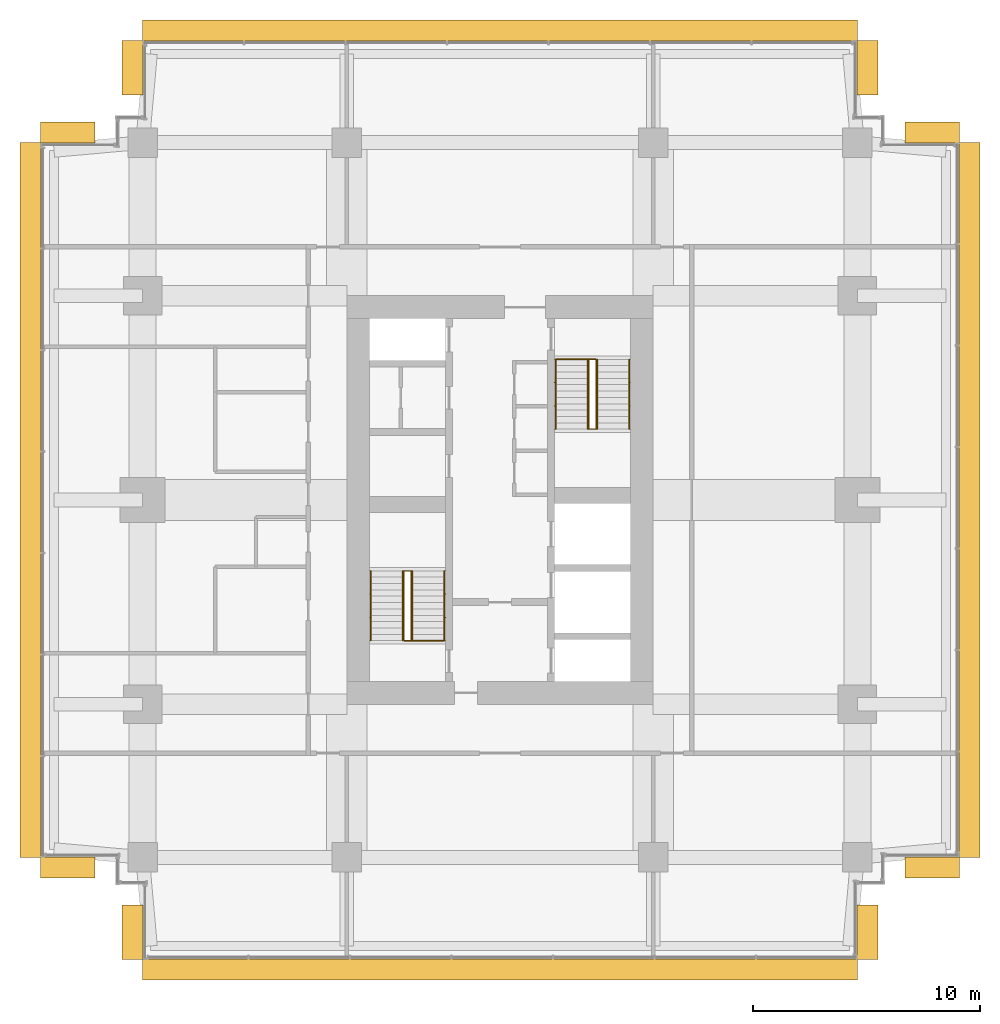
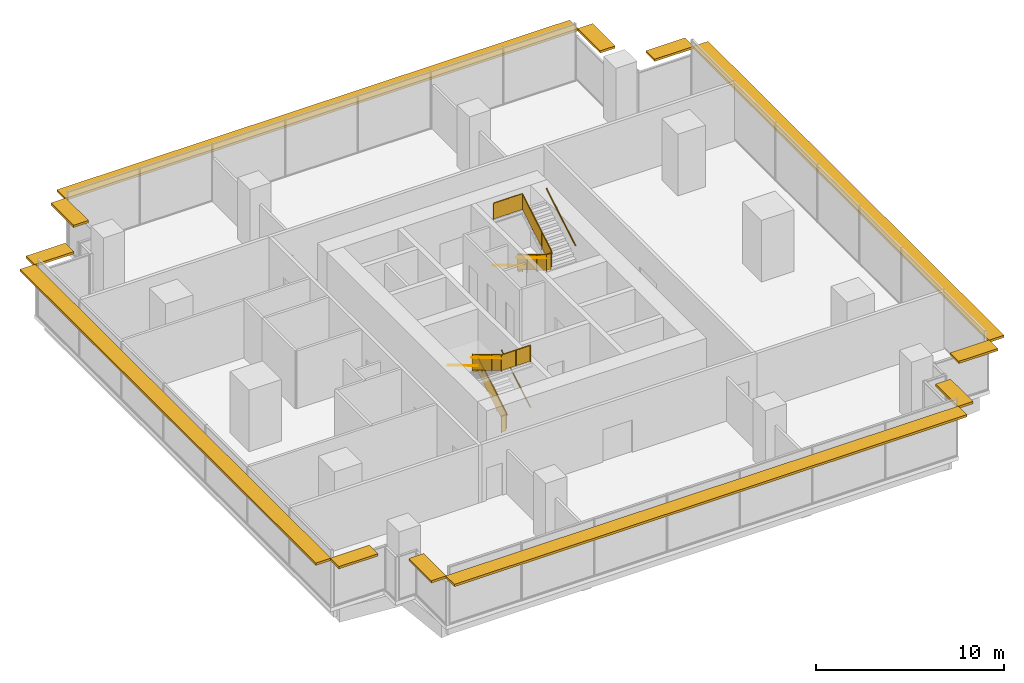
# One storey, part 13 of 13: 12 shading devices, 10 railings.
"""IFC4 building model written with IfcOpenShell, lengths in metres."""

from ifc_helpers import new_model, si_unit, direction, frame, origin, origin_2d, place, context, subcontext, project, spatial, polyline, rectangle, circle, outline, extrude, material, layer, layer_set, type_object, element, save


model = new_model("IFC4")

# Units and contexts
model_context = context("Model", 3, precision=1e-05, world=origin(), true_north=direction((0.0, 1.0)))
body_context = subcontext(model_context, "Body", "Model", "MODEL_VIEW")
ifc_project = project(units=[si_unit("LENGTHUNIT", "METRE"), si_unit("AREAUNIT", "SQUARE_METRE"), si_unit("VOLUMEUNIT", "CUBIC_METRE"), si_unit("PLANEANGLEUNIT", "RADIAN"), si_unit("MASSUNIT", "GRAM", prefix="KILO")], contexts=[model_context])

# Site, building, storey
site_placement = place(None, origin())
site = spatial("IfcSite", under=ifc_project, at=site_placement, CompositionType="ELEMENT")
building_placement = place(site_placement, origin())
building = spatial("IfcBuilding", under=site, at=building_placement, Name="Namib Vertical Campus", CompositionType="ELEMENT")
storey_placement = place(building_placement, frame((0.0, 0.0, 293.0)))
storey = spatial("IfcBuildingStorey", under=building, at=storey_placement, Name="L69", CompositionType="ELEMENT", Elevation=293.0)

# Railings
ifc_material_1 = material(Name="Steel handrail", Category="steel")
railing_type_1 = type_object("IfcRailingType", Name="Handrail 900", PredefinedType="HANDRAIL", material=ifc_material_1)
railing_1_placement = place(storey_placement, frame((17.800048828125, 14.050048828125, 0.166748046875)))
element("IfcRailing", 1, at=railing_1_placement, inside=storey, type_object=railing_type_1, Name="Handrail HR1 A-S1 L69 1", PredefinedType="HANDRAIL", context=body_context, shape_type="SweptSolid", body=[
    extrude(circle(Radius=0.02392578125, at=origin_2d()), frame((0.0, 0.0, 0.8759765625), z_axis=(0.0, 0.859290745958, 0.51148745235), x_axis=(-1.0, 0.0, 0.0)), (0.0, 0.0, 1.0), 3.584228515625),
    extrude(circle(Radius=0.008056640625, at=origin_2d()), frame((0.0, 0.0, 0.8759765625), z_axis=(1.0, 0.0, 0.0), x_axis=(0.0, 0.0, 1.0)), (0.0, 0.0, 1.0), 0.050048828125),
    extrude(circle(Radius=0.008056640625, at=origin_2d()), frame((0.0, 1.026611328125, 1.48681640625), z_axis=(1.0, 0.0, 0.0), x_axis=(0.0, 0.0, 1.0)), (0.0, 0.0, 1.0), 0.050048828125),
    extrude(circle(Radius=0.008056640625, at=origin_2d()), frame((0.0, 2.05322265625, 2.09814453125), z_axis=(1.0, 0.0, 0.0), x_axis=(0.0, 0.0, 1.0)), (0.0, 0.0, 1.0), 0.050048828125),
    extrude(circle(Radius=0.008056640625, at=origin_2d()), frame((0.0, 3.079833984375, 2.708984375), z_axis=(1.0, 0.0, 0.0), x_axis=(0.0, 0.0, 1.0)), (0.0, 0.0, 1.0), 0.050048828125),
])
railing_2_placement = place(storey_placement, frame((14.550048828125, 17.1298828125, 2.166748046875)))
element("IfcRailing", 2, at=railing_2_placement, inside=storey, type_object=railing_type_1, Name="Handrail HR1 A-S1 L69 2", PredefinedType="HANDRAIL", context=body_context, shape_type="SweptSolid", body=[
    extrude(circle(Radius=0.02392578125, at=origin_2d()), frame((0.0, 0.0, 0.8759765625), z_axis=(0.0, -0.859290745958, 0.51148745235), x_axis=(1.0, 0.0, 0.0)), (0.0, 0.0, 1.0), 3.584228515625),
    extrude(circle(Radius=0.008056640625, at=origin_2d()), frame((0.0, 0.0, 0.8759765625), z_axis=(-1.0, 0.0, 0.0), x_axis=(0.0, 0.0, 1.0)), (0.0, 0.0, 1.0), 0.050048828125),
    extrude(circle(Radius=0.008056640625, at=origin_2d()), frame((0.0, -1.026611328125, 1.48681640625), z_axis=(-1.0, 0.0, 0.0), x_axis=(0.0, 0.0, 1.0)), (0.0, 0.0, 1.0), 0.050048828125),
    extrude(circle(Radius=0.008056640625, at=origin_2d()), frame((0.0, -2.05322265625, 2.09814453125), z_axis=(-1.0, 0.0, 0.0), x_axis=(0.0, 0.0, 1.0)), (0.0, 0.0, 1.0), 0.050048828125),
    extrude(circle(Radius=0.008056640625, at=origin_2d()), frame((0.0, -3.079833984375, 2.708984375), z_axis=(-1.0, 0.0, 0.0), x_axis=(0.0, 0.0, 1.0)), (0.0, 0.0, 1.0), 0.050048828125),
])
railing_3_placement = place(storey_placement, frame((16.375, 14.050048828125, 0.166748046875)))
element("IfcRailing", 3, at=railing_3_placement, inside=storey, type_object=railing_type_1, Name="Handrail HR1 A-S1 L69 1 at the well", PredefinedType="HANDRAIL", context=body_context, shape_type="SweptSolid", body=[
    extrude(circle(Radius=0.02392578125, at=origin_2d()), frame((0.0, 0.0, 0.8759765625), z_axis=(0.0, 0.859290745958, 0.51148745235), x_axis=(-1.0, 0.0, 0.0)), (0.0, 0.0, 1.0), 3.584228515625),
    extrude(circle(Radius=0.008056640625, at=origin_2d()), frame((0.0, 0.0, 0.8759765625), z_axis=(-1.0, 0.0, 0.0), x_axis=(0.0, 0.0, 1.0)), (0.0, 0.0, 1.0), 0.0400390625),
    extrude(circle(Radius=0.008056640625, at=origin_2d()), frame((0.0, 1.026611328125, 1.48681640625), z_axis=(-1.0, 0.0, 0.0), x_axis=(0.0, 0.0, 1.0)), (0.0, 0.0, 1.0), 0.0400390625),
    extrude(circle(Radius=0.008056640625, at=origin_2d()), frame((0.0, 2.05322265625, 2.09814453125), z_axis=(-1.0, 0.0, 0.0), x_axis=(0.0, 0.0, 1.0)), (0.0, 0.0, 1.0), 0.0400390625),
    extrude(circle(Radius=0.008056640625, at=origin_2d()), frame((0.0, 3.079833984375, 2.708984375), z_axis=(-1.0, 0.0, 0.0), x_axis=(0.0, 0.0, 1.0)), (0.0, 0.0, 1.0), 0.0400390625),
])
railing_4_placement = place(storey_placement, frame((15.97509765625, 17.1298828125, 2.166748046875)))
element("IfcRailing", 4, at=railing_4_placement, inside=storey, type_object=railing_type_1, Name="Handrail HR1 A-S1 L69 2 at the well", PredefinedType="HANDRAIL", context=body_context, shape_type="SweptSolid", body=[
    extrude(circle(Radius=0.02392578125, at=origin_2d()), frame((0.0, 0.0, 0.8759765625), z_axis=(0.0, -0.859290745958, 0.51148745235), x_axis=(1.0, 0.0, 0.0)), (0.0, 0.0, 1.0), 3.584228515625),
    extrude(circle(Radius=0.008056640625, at=origin_2d()), frame((0.0, 0.0, 0.8759765625), z_axis=(1.0, 0.0, 0.0), x_axis=(0.0, 0.0, 1.0)), (0.0, 0.0, 1.0), 0.0400390625),
    extrude(circle(Radius=0.008056640625, at=origin_2d()), frame((0.0, -1.026611328125, 1.48681640625), z_axis=(1.0, 0.0, 0.0), x_axis=(0.0, 0.0, 1.0)), (0.0, 0.0, 1.0), 0.0400390625),
    extrude(circle(Radius=0.008056640625, at=origin_2d()), frame((0.0, -2.05322265625, 2.09814453125), z_axis=(1.0, 0.0, 0.0), x_axis=(0.0, 0.0, 1.0)), (0.0, 0.0, 1.0), 0.0400390625),
    extrude(circle(Radius=0.008056640625, at=origin_2d()), frame((0.0, -3.079833984375, 2.708984375), z_axis=(1.0, 0.0, 0.0), x_axis=(0.0, 0.0, 1.0)), (0.0, 0.0, 1.0), 0.0400390625),
])
railing_5_placement = place(storey_placement, frame((22.699951171875, 26.449951171875, 0.166748046875)))
element("IfcRailing", 5, at=railing_5_placement, inside=storey, type_object=railing_type_1, Name="Handrail HR1 A-S2 L69 1", PredefinedType="HANDRAIL", context=body_context, shape_type="SweptSolid", body=[
    extrude(circle(Radius=0.02392578125, at=origin_2d()), frame((0.0, 0.0, 0.8759765625), z_axis=(0.0, -0.859290745958, 0.51148745235), x_axis=(1.0, 0.0, 0.0)), (0.0, 0.0, 1.0), 3.584228515625),
    extrude(circle(Radius=0.008056640625, at=origin_2d()), frame((0.0, 0.0, 0.8759765625), z_axis=(-1.0, 0.0, 0.0), x_axis=(0.0, 0.0, 1.0)), (0.0, 0.0, 1.0), 0.050048828125),
    extrude(circle(Radius=0.008056640625, at=origin_2d()), frame((0.0, -1.026611328125, 1.48681640625), z_axis=(-1.0, 0.0, 0.0), x_axis=(0.0, 0.0, 1.0)), (0.0, 0.0, 1.0), 0.050048828125),
    extrude(circle(Radius=0.008056640625, at=origin_2d()), frame((0.0, -2.05322265625, 2.09814453125), z_axis=(-1.0, 0.0, 0.0), x_axis=(0.0, 0.0, 1.0)), (0.0, 0.0, 1.0), 0.050048828125),
    extrude(circle(Radius=0.008056640625, at=origin_2d()), frame((0.0, -3.079833984375, 2.708984375), z_axis=(-1.0, 0.0, 0.0), x_axis=(0.0, 0.0, 1.0)), (0.0, 0.0, 1.0), 0.050048828125),
])
railing_6_placement = place(storey_placement, frame((25.949951171875, 23.3701171875, 2.166748046875)))
element("IfcRailing", 6, at=railing_6_placement, inside=storey, type_object=railing_type_1, Name="Handrail HR1 A-S2 L69 2", PredefinedType="HANDRAIL", context=body_context, shape_type="SweptSolid", body=[
    extrude(circle(Radius=0.02392578125, at=origin_2d()), frame((0.0, 0.0, 0.8759765625), z_axis=(0.0, 0.859290745958, 0.51148745235), x_axis=(-1.0, 0.0, 0.0)), (0.0, 0.0, 1.0), 3.584228515625),
    extrude(circle(Radius=0.008056640625, at=origin_2d()), frame((0.0, 0.0, 0.8759765625), z_axis=(1.0, 0.0, 0.0), x_axis=(0.0, 0.0, 1.0)), (0.0, 0.0, 1.0), 0.050048828125),
    extrude(circle(Radius=0.008056640625, at=origin_2d()), frame((0.0, 1.026611328125, 1.48681640625), z_axis=(1.0, 0.0, 0.0), x_axis=(0.0, 0.0, 1.0)), (0.0, 0.0, 1.0), 0.050048828125),
    extrude(circle(Radius=0.008056640625, at=origin_2d()), frame((0.0, 2.05322265625, 2.09814453125), z_axis=(1.0, 0.0, 0.0), x_axis=(0.0, 0.0, 1.0)), (0.0, 0.0, 1.0), 0.050048828125),
    extrude(circle(Radius=0.008056640625, at=origin_2d()), frame((0.0, 3.079833984375, 2.708984375), z_axis=(1.0, 0.0, 0.0), x_axis=(0.0, 0.0, 1.0)), (0.0, 0.0, 1.0), 0.050048828125),
])
railing_7_placement = place(storey_placement, frame((24.125, 26.449951171875, 0.166748046875)))
element("IfcRailing", 7, at=railing_7_placement, inside=storey, type_object=railing_type_1, Name="Handrail HR1 A-S2 L69 1 at the well", PredefinedType="HANDRAIL", context=body_context, shape_type="SweptSolid", body=[
    extrude(circle(Radius=0.02392578125, at=origin_2d()), frame((0.0, 0.0, 0.8759765625), z_axis=(0.0, -0.859290745958, 0.51148745235), x_axis=(1.0, 0.0, 0.0)), (0.0, 0.0, 1.0), 3.584228515625),
    extrude(circle(Radius=0.008056640625, at=origin_2d()), frame((0.0, 0.0, 0.8759765625), z_axis=(1.0, 0.0, 0.0), x_axis=(0.0, 0.0, 1.0)), (0.0, 0.0, 1.0), 0.0400390625),
    extrude(circle(Radius=0.008056640625, at=origin_2d()), frame((0.0, -1.026611328125, 1.48681640625), z_axis=(1.0, 0.0, 0.0), x_axis=(0.0, 0.0, 1.0)), (0.0, 0.0, 1.0), 0.0400390625),
    extrude(circle(Radius=0.008056640625, at=origin_2d()), frame((0.0, -2.05322265625, 2.09814453125), z_axis=(1.0, 0.0, 0.0), x_axis=(0.0, 0.0, 1.0)), (0.0, 0.0, 1.0), 0.0400390625),
    extrude(circle(Radius=0.008056640625, at=origin_2d()), frame((0.0, -3.079833984375, 2.708984375), z_axis=(1.0, 0.0, 0.0), x_axis=(0.0, 0.0, 1.0)), (0.0, 0.0, 1.0), 0.0400390625),
])
railing_8_placement = place(storey_placement, frame((24.52490234375, 23.3701171875, 2.166748046875)))
element("IfcRailing", 8, at=railing_8_placement, inside=storey, type_object=railing_type_1, Name="Handrail HR1 A-S2 L69 2 at the well", PredefinedType="HANDRAIL", context=body_context, shape_type="SweptSolid", body=[
    extrude(circle(Radius=0.02392578125, at=origin_2d()), frame((0.0, 0.0, 0.8759765625), z_axis=(0.0, 0.859290745958, 0.51148745235), x_axis=(-1.0, 0.0, 0.0)), (0.0, 0.0, 1.0), 3.584228515625),
    extrude(circle(Radius=0.008056640625, at=origin_2d()), frame((0.0, 0.0, 0.8759765625), z_axis=(-1.0, 0.0, 0.0), x_axis=(0.0, 0.0, 1.0)), (0.0, 0.0, 1.0), 0.0400390625),
    extrude(circle(Radius=0.008056640625, at=origin_2d()), frame((0.0, 1.026611328125, 1.48681640625), z_axis=(-1.0, 0.0, 0.0), x_axis=(0.0, 0.0, 1.0)), (0.0, 0.0, 1.0), 0.0400390625),
    extrude(circle(Radius=0.008056640625, at=origin_2d()), frame((0.0, 2.05322265625, 2.09814453125), z_axis=(-1.0, 0.0, 0.0), x_axis=(0.0, 0.0, 1.0)), (0.0, 0.0, 1.0), 0.0400390625),
    extrude(circle(Radius=0.008056640625, at=origin_2d()), frame((0.0, 3.079833984375, 2.708984375), z_axis=(-1.0, 0.0, 0.0), x_axis=(0.0, 0.0, 1.0)), (0.0, 0.0, 1.0), 0.0400390625),
])
ifc_material_2 = material(Name="Steel balustrade", Category="steel")
railing_type_2 = type_object("IfcRailingType", Name="Stair guard 1100", PredefinedType="GUARDRAIL", material=ifc_material_2)
railing_9_placement = place(storey_placement, frame((16.02490234375, 14.050048828125, 0.0)))
element("IfcRailing", 9, at=railing_9_placement, inside=storey, type_object=railing_type_2, Name="Stair guard GR1 A-S1 L69", PredefinedType="GUARDRAIL", context=body_context, shape_type="SweptSolid", body=[
    extrude(circle(Radius=0.02392578125, at=origin_2d()), frame((0.0, 0.0, 1.076171875), z_axis=(1.0, 0.0, 0.0), x_axis=(0.0, 1.0, 0.0)), (0.0, 0.0, 1.0), 0.300048828125),
    extrude(outline(polyline([(0.02099609375, 0.050048828125), (0.279052734375, 0.050048828125), (0.279052734375, 1.052001953125), (0.02099609375, 1.052001953125), (0.02099609375, 0.050048828125)])), frame((0.0, 0.010009765625, 0.0), z_axis=(0.0, -1.0, 0.0), x_axis=(1.0, 0.0, 0.0)), (0.0, 0.0, 1.0), 0.02001953125),
    extrude(circle(Radius=0.02392578125, at=origin_2d()), frame((0.300048828125, 0.0, 1.076171875), z_axis=(0.0, 0.0, 1.0), x_axis=(1.0, 0.0, 0.0)), (0.0, 0.0, 1.0), 0.166748046875),
    extrude(circle(Radius=0.02392578125, at=origin_2d()), frame((0.300048828125, 0.0, 1.24267578125), z_axis=(0.0, 0.859290745958, 0.51148745235), x_axis=(-1.0, 0.0, 0.0)), (0.0, 0.0, 1.0), 3.584228515625),
    extrude(outline(polyline([(0.02099609375, 0.0625), (3.058837890625, 1.870849609375), (3.058837890625, 2.872802734375), (0.02099609375, 1.064453125), (0.02099609375, 0.0625)])), frame((0.2900390625, 0.0, 0.166748046875), z_axis=(1.0, 0.0, 0.0), x_axis=(0.0, 1.0, 0.0)), (0.0, 0.0, 1.0), 0.02001953125),
    extrude(circle(Radius=0.02392578125, at=origin_2d()), frame((0.300048828125, 3.079833984375, 3.076171875), z_axis=(-1.0, 0.0, 0.0), x_axis=(0.0, -1.0, 0.0)), (0.0, 0.0, 1.0), 0.300048828125),
    extrude(outline(polyline([(0.02099609375, 0.050048828125), (0.279052734375, 0.050048828125), (0.279052734375, 1.052001953125), (0.02099609375, 1.052001953125), (0.02099609375, 0.050048828125)])), frame((0.300048828125, 3.06982421875, 2.0), z_axis=(0.0, 1.0, 0.0), x_axis=(-1.0, 0.0, 0.0)), (0.0, 0.0, 1.0), 0.02001953125),
    extrude(circle(Radius=0.02392578125, at=origin_2d()), frame((0.0, 3.079833984375, 3.076171875), z_axis=(0.0, 0.0, 1.0), x_axis=(1.0, 0.0, 0.0)), (0.0, 0.0, 1.0), 0.166748046875),
    extrude(circle(Radius=0.02392578125, at=origin_2d()), frame((0.0, 3.079833984375, 3.24267578125), z_axis=(0.0, -0.859290745958, 0.51148745235), x_axis=(1.0, 0.0, 0.0)), (0.0, 0.0, 1.0), 3.584228515625),
    extrude(outline(polyline([(0.02099609375, 0.0625), (3.058837890625, 1.870849609375), (3.058837890625, 2.872802734375), (0.02099609375, 1.064453125), (0.02099609375, 0.0625)])), frame((0.010009765625, 3.079833984375, 2.166748046875), z_axis=(-1.0, 0.0, 0.0), x_axis=(0.0, -1.0, 0.0)), (0.0, 0.0, 1.0), 0.02001953125),
    extrude(circle(Radius=0.02392578125, at=origin_2d()), frame((0.0, 0.0, 5.076171875), z_axis=(1.0, 0.0, 0.0), x_axis=(0.0, 1.0, 0.0)), (0.0, 0.0, 1.0), 1.775146484375),
    extrude(outline(polyline([(0.02099609375, 0.050048828125), (1.754150390625, 0.050048828125), (1.754150390625, 1.052001953125), (0.02099609375, 1.052001953125), (0.02099609375, 0.050048828125)])), frame((0.0, 0.010009765625, 4.0), z_axis=(0.0, -1.0, 0.0), x_axis=(1.0, 0.0, 0.0)), (0.0, 0.0, 1.0), 0.02001953125),
    extrude(circle(Radius=0.02099609375, at=origin_2d()), origin(), (0.0, 0.0, 1.0), 1.052001953125),
    extrude(circle(Radius=0.02099609375, at=origin_2d()), frame((0.300048828125, 0.0, 0.166748046875)), (0.0, 0.0, 1.0), 1.052001953125),
    extrude(circle(Radius=0.02099609375, at=origin_2d()), frame((0.300048828125, 1.026611328125, 0.666748046875)), (0.0, 0.0, 1.0), 1.1630859375),
    extrude(circle(Radius=0.02099609375, at=origin_2d()), frame((0.300048828125, 2.05322265625, 1.33349609375)), (0.0, 0.0, 1.0), 1.107421875),
    extrude(circle(Radius=0.02099609375, at=origin_2d()), frame((0.300048828125, 3.079833984375, 2.0)), (0.0, 0.0, 1.0), 1.052001953125),
    extrude(circle(Radius=0.02099609375, at=origin_2d()), frame((0.0, 3.079833984375, 2.166748046875)), (0.0, 0.0, 1.0), 1.052001953125),
    extrude(circle(Radius=0.02099609375, at=origin_2d()), frame((0.0, 2.05322265625, 2.666748046875)), (0.0, 0.0, 1.0), 1.1630859375),
    extrude(circle(Radius=0.02099609375, at=origin_2d()), frame((0.0, 1.026611328125, 3.33349609375)), (0.0, 0.0, 1.0), 1.107421875),
    extrude(circle(Radius=0.02099609375, at=origin_2d()), frame((0.0, 0.0, 4.0)), (0.0, 0.0, 1.0), 1.052001953125),
    extrude(circle(Radius=0.02099609375, at=origin_2d()), frame((0.8876953125, 0.0, 4.0)), (0.0, 0.0, 1.0), 1.052001953125),
    extrude(circle(Radius=0.02099609375, at=origin_2d()), frame((1.775146484375, 0.0, 4.0)), (0.0, 0.0, 1.0), 1.052001953125),
])
railing_10_placement = place(storey_placement, frame((24.47509765625, 26.449951171875, 0.0)))
element("IfcRailing", 10, at=railing_10_placement, inside=storey, type_object=railing_type_2, Name="Stair guard GR1 A-S2 L69", PredefinedType="GUARDRAIL", context=body_context, shape_type="SweptSolid", body=[
    extrude(circle(Radius=0.02392578125, at=origin_2d()), frame((0.0, 0.0, 1.076171875), z_axis=(-1.0, 0.0, 0.0), x_axis=(0.0, -1.0, 0.0)), (0.0, 0.0, 1.0), 0.300048828125),
    extrude(outline(polyline([(0.02099609375, 0.050048828125), (0.279052734375, 0.050048828125), (0.279052734375, 1.052001953125), (0.02099609375, 1.052001953125), (0.02099609375, 0.050048828125)])), frame((0.0, -0.010009765625, 0.0), z_axis=(0.0, 1.0, 0.0), x_axis=(-1.0, 0.0, 0.0)), (0.0, 0.0, 1.0), 0.02001953125),
    extrude(circle(Radius=0.02392578125, at=origin_2d()), frame((-0.300048828125, 0.0, 1.076171875), z_axis=(0.0, 0.0, 1.0), x_axis=(1.0, 0.0, 0.0)), (0.0, 0.0, 1.0), 0.166748046875),
    extrude(circle(Radius=0.02392578125, at=origin_2d()), frame((-0.300048828125, 0.0, 1.24267578125), z_axis=(0.0, -0.859290745958, 0.51148745235), x_axis=(1.0, 0.0, 0.0)), (0.0, 0.0, 1.0), 3.584228515625),
    extrude(outline(polyline([(0.02099609375, 0.0625), (3.058837890625, 1.870849609375), (3.058837890625, 2.872802734375), (0.02099609375, 1.064453125), (0.02099609375, 0.0625)])), frame((-0.2900390625, 0.0, 0.166748046875), z_axis=(-1.0, 0.0, 0.0), x_axis=(0.0, -1.0, 0.0)), (0.0, 0.0, 1.0), 0.02001953125),
    extrude(circle(Radius=0.02392578125, at=origin_2d()), frame((-0.300048828125, -3.079833984375, 3.076171875), z_axis=(1.0, 0.0, 0.0), x_axis=(0.0, 1.0, 0.0)), (0.0, 0.0, 1.0), 0.300048828125),
    extrude(outline(polyline([(0.02099609375, 0.050048828125), (0.279052734375, 0.050048828125), (0.279052734375, 1.052001953125), (0.02099609375, 1.052001953125), (0.02099609375, 0.050048828125)])), frame((-0.300048828125, -3.06982421875, 2.0), z_axis=(0.0, -1.0, 0.0), x_axis=(1.0, 0.0, 0.0)), (0.0, 0.0, 1.0), 0.02001953125),
    extrude(circle(Radius=0.02392578125, at=origin_2d()), frame((0.0, -3.079833984375, 3.076171875), z_axis=(0.0, 0.0, 1.0), x_axis=(1.0, 0.0, 0.0)), (0.0, 0.0, 1.0), 0.166748046875),
    extrude(circle(Radius=0.02392578125, at=origin_2d()), frame((0.0, -3.079833984375, 3.24267578125), z_axis=(0.0, 0.859290745958, 0.51148745235), x_axis=(-1.0, 0.0, 0.0)), (0.0, 0.0, 1.0), 3.584228515625),
    extrude(outline(polyline([(0.02099609375, 0.0625), (3.058837890625, 1.870849609375), (3.058837890625, 2.872802734375), (0.02099609375, 1.064453125), (0.02099609375, 0.0625)])), frame((-0.010009765625, -3.079833984375, 2.166748046875), z_axis=(1.0, 0.0, 0.0), x_axis=(0.0, 1.0, 0.0)), (0.0, 0.0, 1.0), 0.02001953125),
    extrude(circle(Radius=0.02392578125, at=origin_2d()), frame((0.0, 0.0, 5.076171875), z_axis=(-1.0, 0.0, 0.0), x_axis=(0.0, -1.0, 0.0)), (0.0, 0.0, 1.0), 1.775146484375),
    extrude(outline(polyline([(0.02099609375, 0.050048828125), (1.754150390625, 0.050048828125), (1.754150390625, 1.052001953125), (0.02099609375, 1.052001953125), (0.02099609375, 0.050048828125)])), frame((0.0, -0.010009765625, 4.0), z_axis=(0.0, 1.0, 0.0), x_axis=(-1.0, 0.0, 0.0)), (0.0, 0.0, 1.0), 0.02001953125),
    extrude(circle(Radius=0.02099609375, at=origin_2d()), origin(), (0.0, 0.0, 1.0), 1.052001953125),
    extrude(circle(Radius=0.02099609375, at=origin_2d()), frame((-0.300048828125, 0.0, 0.166748046875)), (0.0, 0.0, 1.0), 1.052001953125),
    extrude(circle(Radius=0.02099609375, at=origin_2d()), frame((-0.300048828125, -1.026611328125, 0.666748046875)), (0.0, 0.0, 1.0), 1.1630859375),
    extrude(circle(Radius=0.02099609375, at=origin_2d()), frame((-0.300048828125, -2.05322265625, 1.33349609375)), (0.0, 0.0, 1.0), 1.107421875),
    extrude(circle(Radius=0.02099609375, at=origin_2d()), frame((-0.300048828125, -3.079833984375, 2.0)), (0.0, 0.0, 1.0), 1.052001953125),
    extrude(circle(Radius=0.02099609375, at=origin_2d()), frame((0.0, -3.079833984375, 2.166748046875)), (0.0, 0.0, 1.0), 1.052001953125),
    extrude(circle(Radius=0.02099609375, at=origin_2d()), frame((0.0, -2.05322265625, 2.666748046875)), (0.0, 0.0, 1.0), 1.1630859375),
    extrude(circle(Radius=0.02099609375, at=origin_2d()), frame((0.0, -1.026611328125, 3.33349609375)), (0.0, 0.0, 1.0), 1.107421875),
    extrude(circle(Radius=0.02099609375, at=origin_2d()), frame((0.0, 0.0, 4.0)), (0.0, 0.0, 1.0), 1.052001953125),
    extrude(circle(Radius=0.02099609375, at=origin_2d()), frame((-0.8876953125, 0.0, 4.0)), (0.0, 0.0, 1.0), 1.052001953125),
    extrude(circle(Radius=0.02099609375, at=origin_2d()), frame((-1.775146484375, 0.0, 4.0)), (0.0, 0.0, 1.0), 1.052001953125),
])

# Shading devices
ifc_material_3 = material(Name="Concrete C40/50 precast", Category="concrete")
ifc_layer = layer(ifc_material_3, 0.14990234375)
ifc_layer_set = layer_set([ifc_layer], Name="Concrete C40/50 precast")
shading_device_type = type_object("IfcShadingDeviceType", Name="Sunshade hood 900", PredefinedType="SHUTTER", material=ifc_layer_set)
shading_device_1_placement = place(storey_placement, frame((20.25, -0.43994140625, 3.10009765625), z_axis=(0.0, 0.0, 1.0), x_axis=(1.0, 0.0, 0.0)))
element("IfcShadingDevice", 11, at=shading_device_1_placement, inside=storey, type_object=shading_device_type, Name="Sunshade SH1 L69 1", PredefinedType="SHUTTER", context=body_context, shape_type="SweptSolid", body=[
    extrude(rectangle(XDim=31.5, YDim=0.919921875, at=origin_2d()), origin(), (0.0, 0.0, 1.0), 0.14990234375),
])
for number, where, z_axis, x_axis, name in (
    (12, (36.43994140625, 1.199951171875, 3.10009765625), (0.0, 0.0, 1.0), (0.0, 1.0, 0.0), "Sunshade SH1 L69 2"),
    (13, (39.300048828125, 4.06005859375, 3.10009765625), (0.0, 0.0, 1.0), (1.0, 0.0, 0.0), "Sunshade SH1 L69 5"),
):
    element("IfcShadingDevice", number, at=place(storey_placement, frame(where, z_axis=z_axis, x_axis=x_axis)), inside=storey, type_object=shading_device_type, Name=name, PredefinedType="SHUTTER", context=body_context, shape_type="SweptSolid", body=[
        extrude(rectangle(XDim=2.39990234375, YDim=0.919921875, at=origin_2d()), origin(), (0.0, 0.0, 1.0), 0.14990234375),
    ])
shading_device_2_placement = place(storey_placement, frame((40.93994140625, 20.25, 3.10009765625), z_axis=(0.0, 0.0, 1.0), x_axis=(0.0, 1.0, 0.0)))
element("IfcShadingDevice", 14, at=shading_device_2_placement, inside=storey, type_object=shading_device_type, Name="Sunshade SH1 L69 6", PredefinedType="SHUTTER", context=body_context, shape_type="SweptSolid", body=[
    extrude(rectangle(XDim=31.5, YDim=0.919921875, at=origin_2d()), origin(), (0.0, 0.0, 1.0), 0.14990234375),
])
for number, where, z_axis, x_axis, name in (
    (15, (39.300048828125, 36.43994140625, 3.10009765625), (0.0, 0.0, 1.0), (-1.0, 0.0, 0.0), "Sunshade SH1 L69 7"),
    (16, (36.43994140625, 39.300048828125, 3.10009765625), (0.0, 0.0, 1.0), (0.0, 1.0, 0.0), "Sunshade SH1 L69 10"),
):
    element("IfcShadingDevice", number, at=place(storey_placement, frame(where, z_axis=z_axis, x_axis=x_axis)), inside=storey, type_object=shading_device_type, Name=name, PredefinedType="SHUTTER", context=body_context, shape_type="SweptSolid", body=[
        extrude(rectangle(XDim=2.39990234375, YDim=0.919921875, at=origin_2d()), origin(), (0.0, 0.0, 1.0), 0.14990234375),
    ])
shading_device_3_placement = place(storey_placement, frame((20.25, 40.93994140625, 3.10009765625), z_axis=(0.0, 0.0, 1.0), x_axis=(-1.0, 0.0, 0.0)))
element("IfcShadingDevice", 17, at=shading_device_3_placement, inside=storey, type_object=shading_device_type, Name="Sunshade SH1 L69 11", PredefinedType="SHUTTER", context=body_context, shape_type="SweptSolid", body=[
    extrude(rectangle(XDim=31.5, YDim=0.919921875, at=origin_2d()), origin(), (0.0, 0.0, 1.0), 0.14990234375),
])
for number, where, z_axis, x_axis, name in (
    (18, (4.06005859375, 39.300048828125, 3.10009765625), (0.0, 0.0, 1.0), (0.0, -1.0, 0.0), "Sunshade SH1 L69 12"),
    (19, (1.199951171875, 36.43994140625, 3.10009765625), (0.0, 0.0, 1.0), (-1.0, 0.0, 0.0), "Sunshade SH1 L69 15"),
):
    element("IfcShadingDevice", number, at=place(storey_placement, frame(where, z_axis=z_axis, x_axis=x_axis)), inside=storey, type_object=shading_device_type, Name=name, PredefinedType="SHUTTER", context=body_context, shape_type="SweptSolid", body=[
        extrude(rectangle(XDim=2.39990234375, YDim=0.919921875, at=origin_2d()), origin(), (0.0, 0.0, 1.0), 0.14990234375),
    ])
shading_device_4_placement = place(storey_placement, frame((-0.43994140625, 20.25, 3.10009765625), z_axis=(0.0, 0.0, 1.0), x_axis=(0.0, -1.0, 0.0)))
element("IfcShadingDevice", 20, at=shading_device_4_placement, inside=storey, type_object=shading_device_type, Name="Sunshade SH1 L69 16", PredefinedType="SHUTTER", context=body_context, shape_type="SweptSolid", body=[
    extrude(rectangle(XDim=31.5, YDim=0.919921875, at=origin_2d()), origin(), (0.0, 0.0, 1.0), 0.14990234375),
])
for number, where, z_axis, x_axis, name in (
    (21, (1.199951171875, 4.06005859375, 3.10009765625), (0.0, 0.0, 1.0), (1.0, 0.0, 0.0), "Sunshade SH1 L69 17"),
    (22, (4.06005859375, 1.199951171875, 3.10009765625), (0.0, 0.0, 1.0), (0.0, -1.0, 0.0), "Sunshade SH1 L69 20"),
):
    element("IfcShadingDevice", number, at=place(storey_placement, frame(where, z_axis=z_axis, x_axis=x_axis)), inside=storey, type_object=shading_device_type, Name=name, PredefinedType="SHUTTER", context=body_context, shape_type="SweptSolid", body=[
        extrude(rectangle(XDim=2.39990234375, YDim=0.919921875, at=origin_2d()), origin(), (0.0, 0.0, 1.0), 0.14990234375),
    ])

save(model, "model.ifc")
